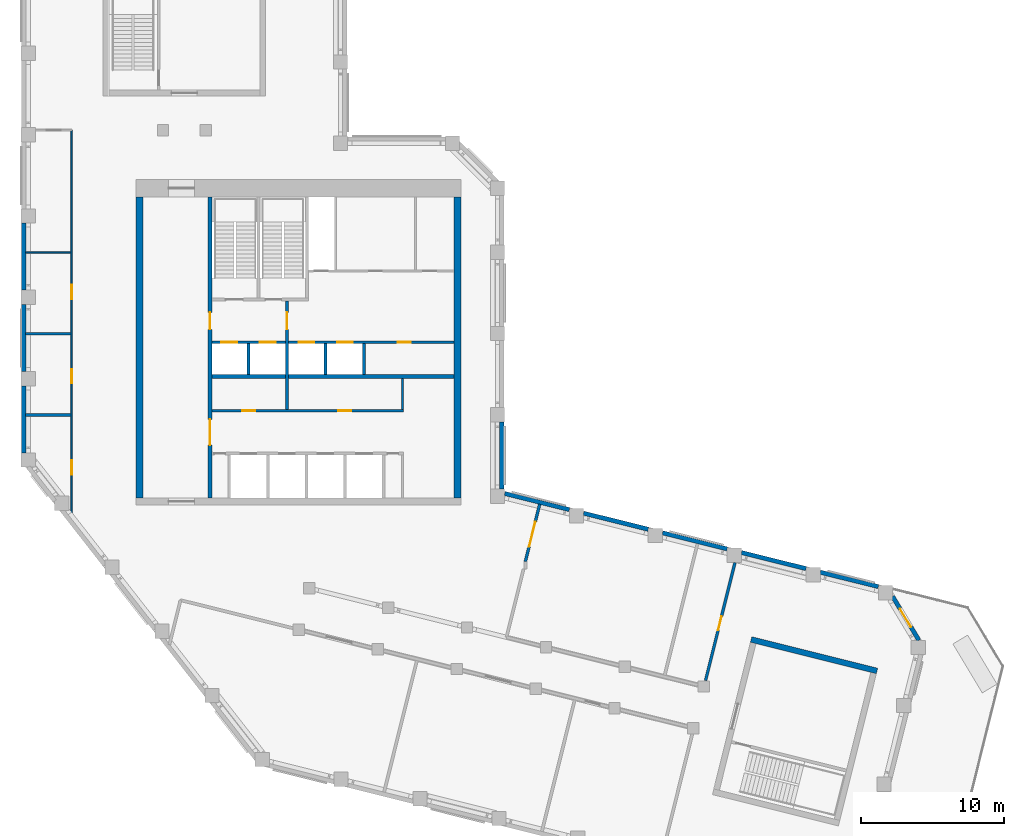
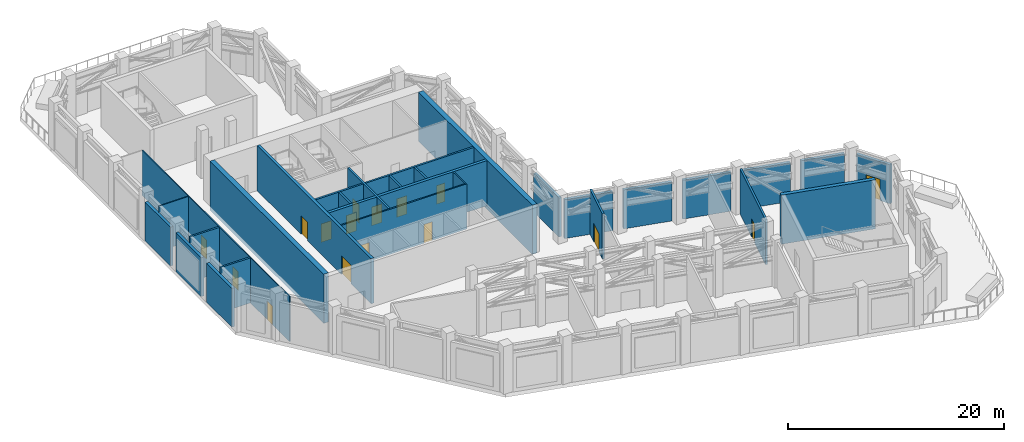
# One storey, part 5 of 8: 28 walls, 16 doors, 16 openings.
"""IFC4 building model written with IfcOpenShell, lengths in metres."""

import ifcopenshell
import ifcopenshell.guid

model = None  # the IFC model being written
_history = None  # IfcOwnerHistory: only IFC2X3 demands one
_inside = {}  # id of a spatial element -> (the spatial element, [elements in it])
_under = {}  # id of a project, library or spatial element -> (it, [spatial elements below it])
_declared = {}  # id of a project -> (the project, [libraries it declares])
_typed = {}  # id of a type object -> (the type object, [elements of that type])
_made_of = {}  # id of a material, layer set ... -> (it, [elements and type objects made of it])


def new_model(schema):
    """Start an empty IFC model of exactly this schema.

    Asked for "IFC4X3", IfcOpenShell would pick the latest addendum, in which some entities
    have other attributes; the version numbers below select the first issue.
    IFC2X3 requires an IfcOwnerHistory on every rooted entity: one is made here for all.
    """
    global model, _history
    if schema == "IFC4X3":
        model = ifcopenshell.file(schema_version=(4, 3, 0, 0))
    else:
        model = ifcopenshell.file(schema=schema)
    _inside.clear()
    _under.clear()
    _declared.clear()
    _typed.clear()
    _made_of.clear()
    _history = None
    if model.schema == "IFC2X3":
        org = make("IfcOrganization", Name="unknown")
        user = make(
            "IfcPersonAndOrganization",
            ThePerson=make("IfcPerson", FamilyName="unknown"),
            TheOrganization=org,
        )
        app = make(
            "IfcApplication",
            ApplicationDeveloper=org,
            Version="unknown",
            ApplicationFullName="unknown",
            ApplicationIdentifier="unknown",
        )
        _history = make(
            "IfcOwnerHistory",
            OwningUser=user,
            OwningApplication=app,
            ChangeAction="ADDED",
            CreationDate=0,
        )
    return model


def make(cls, **values):
    """One entity of the class cls with the attributes given. An attribute that is None is left unset."""
    return model.create_entity(
        cls, **{name: value for name, value in values.items() if value is not None}
    )


def rooted(cls, **values):
    """An entity with a GlobalId (a new one), such as an element, a storey or a relation."""
    return make(cls, GlobalId=ifcopenshell.guid.new(), OwnerHistory=_history, **values)


def si_unit(unit_type, name, prefix=None):
    """IfcSIUnit, for example si_unit("LENGTHUNIT", "METRE", prefix="MILLI")."""
    return make("IfcSIUnit", UnitType=unit_type, Prefix=prefix, Name=name)


def assignment(units):
    """IfcUnitAssignment: the units of a project."""
    return None if units is None else make("IfcUnitAssignment", Units=units)


def point(xyz):
    """IfcCartesianPoint."""
    return None if xyz is None else make("IfcCartesianPoint", Coordinates=xyz)


def direction(xyz):
    """IfcDirection."""
    return None if xyz is None else make("IfcDirection", DirectionRatios=xyz)


def frame(location, z_axis=None, x_axis=None):
    """IfcAxis2Placement3D, a coordinate frame: its origin and axes. An axis left out is left unset."""
    return make(
        "IfcAxis2Placement3D",
        Location=point(location),
        Axis=direction(z_axis),
        RefDirection=direction(x_axis),
    )


def frame_2d(location, x_axis=None):
    """IfcAxis2Placement2D, a coordinate frame in the plane: its origin and x axis."""
    return make(
        "IfcAxis2Placement2D", Location=point(location), RefDirection=direction(x_axis)
    )


def origin():
    """The frame at (0, 0, 0) with its axes left unset."""
    return frame((0.0, 0.0, 0.0))


def place(relative_to, where):
    """IfcLocalPlacement: puts the frame where relative to a parent placement (None: the world)."""
    return make(
        "IfcLocalPlacement", PlacementRelTo=relative_to, RelativePlacement=where
    )


def context(
    kind, dimensions, precision=None, world=None, true_north=None, identifier=None
):
    """IfcGeometricRepresentationContext, for example the 3D "Model" context."""
    return make(
        "IfcGeometricRepresentationContext",
        ContextIdentifier=identifier,
        ContextType=kind,
        CoordinateSpaceDimension=dimensions,
        Precision=precision,
        WorldCoordinateSystem=world,
        TrueNorth=true_north,
    )


def subcontext(parent, identifier, kind, view, scale=None):
    """IfcGeometricRepresentationSubContext, for example "Body" below "Model"."""
    return make(
        "IfcGeometricRepresentationSubContext",
        ContextIdentifier=identifier,
        ContextType=kind,
        ParentContext=parent,
        TargetScale=scale,
        TargetView=view,
    )


def project(units=None, contexts=None):
    """IfcProject with its units and contexts."""
    return rooted(
        "IfcProject",
        Name="project",
        RepresentationContexts=contexts,
        UnitsInContext=assignment(units),
    )


def spatial(cls, under=None, at=None, **own):
    """A site, building, storey or space (cls), placed at a placement, below another one or the project."""
    s = rooted(cls, ObjectPlacement=at, **own)
    if under is not None:
        _under.setdefault(under.id(), (under, []))[1].append(s)
    return s


def profile(cls, at=None, kind="AREA", **sizes):
    """A parametric profile (cls). Its sizes go by their IFC names, for example OverallWidth=200.0."""
    return make(cls, ProfileType=kind, Position=at, **sizes)


def rectangle(**sizes):
    """IfcRectangleProfileDef."""
    return profile("IfcRectangleProfileDef", **sizes)


def extrude(swept, where, along, depth):
    """IfcExtrudedAreaSolid: the profile swept, set in the frame where, extruded along a direction by depth."""
    return make(
        "IfcExtrudedAreaSolid",
        SweptArea=swept,
        Position=where,
        ExtrudedDirection=direction(along),
        Depth=depth,
    )


def shape(context_of_items, identifier, shape_type, items):
    """IfcShapeRepresentation: the items that make up one representation, for example the "Body"."""
    return make(
        "IfcShapeRepresentation",
        ContextOfItems=context_of_items,
        RepresentationIdentifier=identifier,
        RepresentationType=shape_type,
        Items=items,
    )


def material(Name=None, Category=None):
    """IfcMaterial."""
    return make("IfcMaterial", Name=Name, Category=Category)


def layer(
    of_material, thickness, ventilated=None, Name=None, Category=None, Priority=None
):
    """IfcMaterialLayer: one layer of a wall or slab, of a material (None: an air gap)."""
    return make(
        "IfcMaterialLayer",
        Material=of_material,
        LayerThickness=thickness,
        IsVentilated=ventilated,
        Name=Name,
        Category=Category,
        Priority=Priority,
    )


def layer_set(layers, Name=None):
    """IfcMaterialLayerSet."""
    return make("IfcMaterialLayerSet", MaterialLayers=layers, LayerSetName=Name)


def made_of(thing, what):
    """Note that an element or type object is made of a material, layer set ...; save() writes the relation."""
    if what is not None:
        _made_of.setdefault(what.id(), (what, []))[1].append(thing)
    return thing


def type_object(cls, material=None, **own):
    """A type object (cls), such as IfcWallType, which elements share."""
    return made_of(rooted(cls, **own), material)


def element(
    cls,
    number,
    at=None,
    inside=None,
    cuts=None,
    type_object=None,
    material=None,
    context=None,
    identifier="Body",
    shape_type=None,
    held_by="IfcProductDefinitionShape",
    body=None,
    shapes=None,
    **own,
):
    """One element of the class cls, such as IfcWall. Its Tag is "e" and its number.

    at: its placement. inside: the storey or other place that contains it. cuts: it is an
    opening in that element (IfcRelVoidsElement). A single representation is given by context,
    identifier, shape_type and body (its items); several are given by shapes. held_by: the class
    of the entity that holds the representations. save() writes the other relations.
    """
    e = rooted(cls, Tag="e%d" % number, ObjectPlacement=at, **own)
    if body is not None:
        shapes = [shape(context, identifier, shape_type, body)]
    if shapes is not None:
        e.Representation = make(held_by, Representations=shapes)
    if inside is not None:
        _inside.setdefault(inside.id(), (inside, []))[1].append(e)
    if cuts is not None:
        rooted(
            "IfcRelVoidsElement", RelatingBuildingElement=cuts, RelatedOpeningElement=e
        )
    if type_object is not None:
        _typed.setdefault(type_object.id(), (type_object, []))[1].append(e)
    return made_of(e, material)


def fill(opening, filler):
    """IfcRelFillsElement: the door or window that sits in an opening."""
    return rooted(
        "IfcRelFillsElement",
        RelatingOpeningElement=opening,
        RelatedBuildingElement=filler,
    )


def aggregate(whole, parts):
    """IfcRelAggregates: a whole, such as a stair, and the parts it consists of."""
    return rooted("IfcRelAggregates", RelatingObject=whole, RelatedObjects=parts)


def save(model, path):
    """Write the relations noted so far, then the file.

    IfcRelAggregates (storeys below a building ...), IfcRelContainedInSpatialStructure (elements
    in a storey), IfcRelDefinesByType, IfcRelAssociatesMaterial and IfcRelDeclares: one each for
    every whole, place, type object, material and project.
    """
    for whole, parts in _under.values():
        aggregate(whole, parts)
    for where, things in _inside.values():
        rooted(
            "IfcRelContainedInSpatialStructure",
            RelatedElements=things,
            RelatingStructure=where,
        )
    for kind, things in _typed.values():
        rooted("IfcRelDefinesByType", RelatedObjects=things, RelatingType=kind)
    for what, things in _made_of.values():
        rooted("IfcRelAssociatesMaterial", RelatedObjects=things, RelatingMaterial=what)
    for by, libraries in _declared.values():
        rooted("IfcRelDeclares", RelatingContext=by, RelatedDefinitions=libraries)
    model.write(path)


model = new_model("IFC4")

# Units and contexts
model_context = context("Model", 3, precision=1e-05, world=origin(), true_north=direction((0.0, 1.0)))
body_context = subcontext(model_context, "Body", "Model", "MODEL_VIEW")
ifc_project = project(units=[si_unit("LENGTHUNIT", "METRE"), si_unit("AREAUNIT", "SQUARE_METRE"), si_unit("VOLUMEUNIT", "CUBIC_METRE"), si_unit("PLANEANGLEUNIT", "RADIAN"), si_unit("MASSUNIT", "GRAM", prefix="KILO")], contexts=[model_context])

# Site, building, storey
site_placement = place(None, origin())
site = spatial("IfcSite", under=ifc_project, at=site_placement, CompositionType="ELEMENT")
building_placement = place(site_placement, origin())
building = spatial("IfcBuilding", under=site, at=building_placement, Name="Meshkara Civic Tower", CompositionType="ELEMENT")
storey_placement = place(building_placement, frame((0.0, 0.0, 348.60009765625)))
storey = spatial("IfcBuildingStorey", under=building, at=storey_placement, Name="L80", CompositionType="ELEMENT", Elevation=348.60009765625)

# Wall, openings, doors
ifc_material_1 = material(Name="Blockwork", Category="masonry")
ifc_layer_1 = layer(ifc_material_1, 0.14990234375)
ifc_layer_set_1 = layer_set([ifc_layer_1], Name="Core partition 150")
wall_type_1 = type_object("IfcWallType", Name="Core partition 150", PredefinedType="PARTITIONING", material=ifc_layer_set_1)
wall_1_placement = place(storey_placement, frame((13.35009765625, 20.699951171875, 0.0), z_axis=(0.0, 0.0, 1.0), x_axis=(1.0, 0.0, 0.0)))
wall_1 = element("IfcWall", 1, at=wall_1_placement, inside=storey, type_object=wall_type_1, Name="L80-C006", PredefinedType="PARTITIONING", context=body_context, shape_type="SweptSolid", body=[
    extrude(rectangle(XDim=13.4248046875, YDim=0.14990234375, at=frame_2d((6.71240234375, 0.0))), origin(), (0.0, 0.0, 1.0), 5.099853515625),
])
opening_1_placement = place(wall_1_placement, frame((2.10009765625, 0.0, 0.0)))
opening_1 = element("IfcOpeningElement", 2, at=opening_1_placement, cuts=wall_1, Name="Opening L80-K011", PredefinedType="OPENING", context=body_context, shape_type="SweptSolid", body=[
    extrude(rectangle(XDim=0.89990234375, YDim=2.10009765625, at=frame_2d((0.449951171875, 1.050048828125))), frame((0.0, 0.0849609375, 0.0), z_axis=(0.0, -1.0, 0.0), x_axis=(1.0, 0.0, 0.0)), (0.0, 0.0, 1.0), 0.169921875),
])
opening_2_placement = place(wall_1_placement, frame((8.85009765625, 0.0, 0.0)))
opening_2 = element("IfcOpeningElement", 3, at=opening_2_placement, cuts=wall_1, Name="Opening L80-K012", PredefinedType="OPENING", context=body_context, shape_type="SweptSolid", body=[
    extrude(rectangle(XDim=0.89990234375, YDim=2.10009765625, at=frame_2d((0.449951171875, 1.050048828125))), frame((0.0, 0.0849609375, 0.0), z_axis=(0.0, -1.0, 0.0), x_axis=(1.0, 0.0, 0.0)), (0.0, 0.0, 1.0), 0.169921875),
])
ifc_material_2 = material(Name="Timber door leaf in steel frame", Category="steel")
door_type_1 = type_object("IfcDoorType", Name="Core room door 900", OperationType="SINGLE_SWING_LEFT", PredefinedType="DOOR", material=ifc_material_2)
door_1_placement = place(opening_1_placement, origin())
door_1 = element("IfcDoor", 4, at=door_1_placement, inside=storey, type_object=door_type_1, Name="L80-K011", OperationType="SINGLE_SWING_RIGHT", OverallHeight=2.10009765625, OverallWidth=0.89990234375, PredefinedType="DOOR", context=body_context, shape_type="SweptSolid", body=[
    extrude(rectangle(XDim=0.89990234375, YDim=2.10009765625, at=frame_2d((0.449951171875, 1.050048828125))), frame((0.0, 0.02490234375, 0.0), z_axis=(0.0, -1.0, 0.0), x_axis=(1.0, 0.0, 0.0)), (0.0, 0.0, 1.0), 0.050048828125),
])
fill(opening_1, door_1)
door_2_placement = place(opening_2_placement, origin())
door_2 = element("IfcDoor", 5, at=door_2_placement, inside=storey, type_object=door_type_1, Name="L80-K012", OperationType="SINGLE_SWING_RIGHT", OverallHeight=2.10009765625, OverallWidth=0.89990234375, PredefinedType="DOOR", context=body_context, shape_type="SweptSolid", body=[
    extrude(rectangle(XDim=0.89990234375, YDim=2.10009765625, at=frame_2d((0.449951171875, 1.050048828125))), frame((0.0, 0.02490234375, 0.0), z_axis=(0.0, -1.0, 0.0), x_axis=(1.0, 0.0, 0.0)), (0.0, 0.0, 1.0), 0.050048828125),
])
fill(opening_2, door_2)

# Walls
wall_2_placement = place(storey_placement, frame((26.699951171875, 20.77490234375, 0.0), z_axis=(0.0, 0.0, 1.0), x_axis=(0.0, 1.0, 0.0)))
element("IfcWall", 6, at=wall_2_placement, inside=storey, type_object=wall_type_1, Name="L80-C025", PredefinedType="PARTITIONING", context=body_context, shape_type="SweptSolid", body=[
    extrude(rectangle(XDim=2.175048828125, YDim=0.14990234375, at=frame_2d((1.08740234375, 0.0))), origin(), (0.0, 0.0, 1.0), 5.099853515625),
])
ifc_material_3 = material(Name="Concrete C60", Category="concrete")
ifc_layer_2 = layer(ifc_material_3, 0.5)
ifc_layer_set_2 = layer_set([ifc_layer_2], Name="Core ring wall 500 C60")
wall_type_2 = type_object("IfcWallType", Name="Core ring wall 500 C60", PredefinedType="SHEAR", material=ifc_layer_set_2)
for number, where, z_axis, x_axis, name in (
    (7, (8.25, 14.60009765625, -0.4501953125), (0.0, 0.0, 1.0), (0.0, 1.0, 0.0), "L80-C003"),
    (8, (30.550048828125, 14.60009765625, -0.4501953125), (0.0, 0.0, 1.0), (0.0, 1.0, 0.0), "L80-C004"),
):
    element("IfcWall", number, at=place(storey_placement, frame(where, z_axis=z_axis, x_axis=x_axis)), inside=storey, type_object=wall_type_2, Name=name, PredefinedType="SHEAR", context=body_context, shape_type="SweptSolid", body=[
        extrude(rectangle(XDim=21.099853515625, YDim=0.5, at=frame_2d((10.5498046875, 0.0))), origin(), (0.0, 0.0, 1.0), 5.550048828125),
    ])
ifc_material_4 = material(Name="Concrete C60", Category="concrete")
ifc_layer_3 = layer(ifc_material_4, 0.300048828125)
ifc_layer_set_3 = layer_set([ifc_layer_3], Name="Core shear wall 300 C60")
wall_type_3 = type_object("IfcWallType", Name="Core shear wall 300 C60", PredefinedType="SHEAR", material=ifc_layer_set_3)
wall_3_placement = place(storey_placement, frame((13.35009765625, 23.10009765625, 0.0), z_axis=(0.0, 0.0, 1.0), x_axis=(1.0, 0.0, 0.0)))
element("IfcWall", 9, at=wall_3_placement, inside=storey, type_object=wall_type_3, Name="L80-C007", PredefinedType="SHEAR", context=body_context, shape_type="SweptSolid", body=[
    extrude(rectangle(XDim=16.949951171875, YDim=0.300048828125, at=frame_2d((8.47509765625, 0.0))), origin(), (0.0, 0.0, 1.0), 5.099853515625),
])

# Wall, openings, doors
wall_4_placement = place(storey_placement, frame((13.199951171875, 14.60009765625, 0.0), z_axis=(0.0, 0.0, 1.0), x_axis=(0.0, 1.0, 0.0)))
wall_4 = element("IfcWall", 10, at=wall_4_placement, inside=storey, type_object=wall_type_3, Name="L80-C011", PredefinedType="SHEAR", context=body_context, shape_type="SweptSolid", body=[
    extrude(rectangle(XDim=21.099853515625, YDim=0.300048828125, at=frame_2d((10.5498046875, 0.0))), origin(), (0.0, 0.0, 1.0), 5.099853515625),
])
opening_3_placement = place(wall_4_placement, frame((3.699951171875, 0.0, 0.0)))
opening_3 = element("IfcOpeningElement", 11, at=opening_3_placement, cuts=wall_4, Name="Opening L80-K019", PredefinedType="OPENING", context=body_context, shape_type="SweptSolid", body=[
    extrude(rectangle(XDim=1.800048828125, YDim=2.10009765625, at=frame_2d((0.89990234375, 1.050048828125))), frame((0.0, 0.159912109375, 0.0), z_axis=(0.0, -1.0, 0.0), x_axis=(1.0, 0.0, 0.0)), (0.0, 0.0, 1.0), 0.320068359375),
])
opening_4_placement = place(wall_4_placement, frame((11.800048828125, 0.0, 0.0)))
opening_4 = element("IfcOpeningElement", 12, at=opening_4_placement, cuts=wall_4, Name="Opening L80-K020", PredefinedType="OPENING", context=body_context, shape_type="SweptSolid", body=[
    extrude(rectangle(XDim=1.199951171875, YDim=2.10009765625, at=frame_2d((0.60009765625, 1.050048828125))), frame((0.0, 0.159912109375, 0.0), z_axis=(0.0, -1.0, 0.0), x_axis=(1.0, 0.0, 0.0)), (0.0, 0.0, 1.0), 0.320068359375),
])
ifc_material_5 = material(Name="Fire-rated door leaf in steel frame", Category="steel")
door_type_2 = type_object("IfcDoorType", Name="Core double door 1800 EI 60", OperationType="DOUBLE_DOOR_SINGLE_SWING", PredefinedType="DOOR", material=ifc_material_5)
door_3_placement = place(opening_3_placement, origin())
door_3 = element("IfcDoor", 13, at=door_3_placement, inside=storey, type_object=door_type_2, Name="L80-K019", OperationType="DOUBLE_DOOR_SINGLE_SWING", OverallHeight=2.10009765625, OverallWidth=1.800048828125, PredefinedType="DOOR", context=body_context, shape_type="SweptSolid", body=[
    extrude(rectangle(XDim=1.800048828125, YDim=2.10009765625, at=frame_2d((0.89990234375, 1.050048828125))), frame((0.0, 0.02490234375, 0.0), z_axis=(0.0, -1.0, 0.0), x_axis=(1.0, 0.0, 0.0)), (0.0, 0.0, 1.0), 0.050048828125),
])
fill(opening_3, door_3)
ifc_material_6 = material(Name="Fire-rated door leaf in steel frame", Category="steel")
door_type_3 = type_object("IfcDoorType", Name="Fire-fighting lobby door 1200 EI 120", OperationType="SINGLE_SWING_LEFT", PredefinedType="DOOR", material=ifc_material_6)
door_4_placement = place(opening_4_placement, origin())
door_4 = element("IfcDoor", 14, at=door_4_placement, inside=storey, type_object=door_type_3, Name="L80-K020", OperationType="SINGLE_SWING_LEFT", OverallHeight=2.10009765625, OverallWidth=1.199951171875, PredefinedType="DOOR", context=body_context, shape_type="SweptSolid", body=[
    extrude(rectangle(XDim=1.199951171875, YDim=2.10009765625, at=frame_2d((0.60009765625, 1.050048828125))), frame((0.0, 0.02490234375, 0.0), z_axis=(0.0, -1.0, 0.0), x_axis=(1.0, 0.0, 0.0)), (0.0, 0.0, 1.0), 0.050048828125),
])
fill(opening_4, door_4)

ifc_material_7 = material(Name="Corridor wall 100")
ifc_layer_4 = layer(ifc_material_7, 0.10009765625)
ifc_layer_set_4 = layer_set([ifc_layer_4], Name="Corridor wall 100")
wall_type_4 = type_object("IfcWallType", Name="Corridor wall 100", PredefinedType="PARTITIONING", material=ifc_layer_set_4)
wall_5_placement = place(storey_placement, frame((3.5, 40.3701171875, 0.0), z_axis=(0.0, 0.0, 1.0), x_axis=(0.0, -1.0, 0.0)))
wall_5 = element("IfcWall", 15, at=wall_5_placement, inside=storey, type_object=wall_type_4, Name="L80-R002", PredefinedType="PARTITIONING", context=body_context, shape_type="SweptSolid", body=[
    extrude(rectangle(XDim=27.2822265625, YDim=0.10009765625, at=frame_2d((13.64111328125, 0.0))), origin(), (0.0, 0.0, 1.0), 5.099853515625),
])
opening_5_placement = place(wall_5_placement, frame((23.14990234375, 0.0, 0.0)))
opening_5 = element("IfcOpeningElement", 16, at=opening_5_placement, cuts=wall_5, Name="Opening L80-P005", PredefinedType="OPENING", context=body_context, shape_type="SweptSolid", body=[
    extrude(rectangle(XDim=1.0, YDim=2.10009765625, at=frame_2d((0.5, 1.050048828125))), frame((0.0, 0.06005859375, 0.0), z_axis=(0.0, -1.0, 0.0), x_axis=(1.0, 0.0, 0.0)), (0.0, 0.0, 1.0), 0.1201171875),
])
opening_6_placement = place(wall_5_placement, frame((16.75, 0.0, 0.0)))
opening_6 = element("IfcOpeningElement", 17, at=opening_6_placement, cuts=wall_5, Name="Opening L80-P007", PredefinedType="OPENING", context=body_context, shape_type="SweptSolid", body=[
    extrude(rectangle(XDim=1.0, YDim=2.10009765625, at=frame_2d((0.5, 1.050048828125))), frame((0.0, 0.06005859375, 0.0), z_axis=(0.0, -1.0, 0.0), x_axis=(1.0, 0.0, 0.0)), (0.0, 0.0, 1.0), 0.1201171875),
])
opening_7_placement = place(wall_5_placement, frame((10.85009765625, 0.0, 0.0)))
opening_7 = element("IfcOpeningElement", 18, at=opening_7_placement, cuts=wall_5, Name="Opening L80-P008", PredefinedType="OPENING", context=body_context, shape_type="SweptSolid", body=[
    extrude(rectangle(XDim=1.0, YDim=2.10009765625, at=frame_2d((0.5, 1.050048828125))), frame((0.0, 0.06005859375, 0.0), z_axis=(0.0, -1.0, 0.0), x_axis=(1.0, 0.0, 0.0)), (0.0, 0.0, 1.0), 0.1201171875),
])
ifc_material_8 = material(Name="Door 1000 x 2100")
door_type_4 = type_object("IfcDoorType", Name="Door 1000 x 2100", OperationType="SINGLE_SWING_LEFT", PredefinedType="DOOR", material=ifc_material_8)
door_5_placement = place(opening_5_placement, origin())
door_5 = element("IfcDoor", 19, at=door_5_placement, inside=storey, type_object=door_type_4, Name="L80-P005", OperationType="SINGLE_SWING_LEFT", OverallHeight=2.10009765625, OverallWidth=1.0, PredefinedType="DOOR", context=body_context, shape_type="SweptSolid", body=[
    extrude(rectangle(XDim=1.0, YDim=2.10009765625, at=frame_2d((0.5, 1.050048828125))), frame((0.0, 0.02490234375, 0.0), z_axis=(0.0, -1.0, 0.0), x_axis=(1.0, 0.0, 0.0)), (0.0, 0.0, 1.0), 0.050048828125),
])
fill(opening_5, door_5)
door_6_placement = place(opening_6_placement, origin())
door_6 = element("IfcDoor", 20, at=door_6_placement, inside=storey, type_object=door_type_4, Name="L80-P007", OperationType="SINGLE_SWING_LEFT", OverallHeight=2.10009765625, OverallWidth=1.0, PredefinedType="DOOR", context=body_context, shape_type="SweptSolid", body=[
    extrude(rectangle(XDim=1.0, YDim=2.10009765625, at=frame_2d((0.5, 1.050048828125))), frame((0.0, 0.02490234375, 0.0), z_axis=(0.0, -1.0, 0.0), x_axis=(1.0, 0.0, 0.0)), (0.0, 0.0, 1.0), 0.050048828125),
])
fill(opening_6, door_6)
door_7_placement = place(opening_7_placement, origin())
door_7 = element("IfcDoor", 21, at=door_7_placement, inside=storey, type_object=door_type_4, Name="L80-P008", OperationType="SINGLE_SWING_RIGHT", OverallHeight=2.10009765625, OverallWidth=1.0, PredefinedType="DOOR", context=body_context, shape_type="SweptSolid", body=[
    extrude(rectangle(XDim=1.0, YDim=2.10009765625, at=frame_2d((0.5, 1.050048828125))), frame((0.0, 0.02490234375, 0.0), z_axis=(0.0, -1.0, 0.0), x_axis=(1.0, 0.0, 0.0)), (0.0, 0.0, 1.0), 0.050048828125),
])
fill(opening_7, door_7)

# Walls
ifc_material_9 = material(Name="Insulated infill panel with bronze anodised aluminium cladding", Category="aluminium")
ifc_layer_5 = layer(ifc_material_9, 0.300048828125)
ifc_layer_set_5 = layer_set([ifc_layer_5], Name="EXTERNAL INFILL WALL 300")
wall_type_5 = type_object("IfcWallType", Name="EXTERNAL INFILL WALL 300", PredefinedType="SOLIDWALL", material=ifc_layer_set_5)
wall_6_placement = place(storey_placement, frame((60.032958984375, 8.3759765625, 0.0), z_axis=(0.0, 0.0, 1.0), x_axis=(-0.970313866696, 0.241849126726, 0.0)))
element("IfcWall", 22, at=wall_6_placement, inside=storey, type_object=wall_type_5, Name="External wall", PredefinedType="SOLIDWALL", context=body_context, shape_type="SweptSolid", body=[
    extrude(rectangle(XDim=4.184326171875, YDim=0.300048828125, at=frame_2d((2.09228515625, 0.0))), origin(), (0.0, 0.0, 1.0), 4.39990234375),
])
wall_7_placement = place(storey_placement, frame((54.972900390625, 9.636962890625, 0.0), z_axis=(0.0, 0.0, 1.0), x_axis=(-0.970274594963, 0.242006632905, 0.0)))
element("IfcWall", 23, at=wall_7_placement, inside=storey, type_object=wall_type_5, Name="External wall", PredefinedType="SOLIDWALL", context=body_context, shape_type="SweptSolid", body=[
    extrude(rectangle(XDim=4.669921875, YDim=0.300048828125, at=frame_2d((2.3349609375, 0.0))), origin(), (0.0, 0.0, 1.0), 4.39990234375),
])
wall_8_placement = place(storey_placement, frame((49.44189453125, 11.01611328125, 0.0), z_axis=(0.0, 0.0, 1.0), x_axis=(-0.970286870015, 0.241957413354, 0.0)))
element("IfcWall", 24, at=wall_8_placement, inside=storey, type_object=wall_type_5, Name="External wall", PredefinedType="SOLIDWALL", context=body_context, shape_type="SweptSolid", body=[
    extrude(rectangle(XDim=4.669677734375, YDim=0.300048828125, at=frame_2d((2.3349609375, 0.0))), origin(), (0.0, 0.0, 1.0), 4.39990234375),
])
wall_9_placement = place(storey_placement, frame((43.910888671875, 12.39501953125, 0.0), z_axis=(0.0, 0.0, 1.0), x_axis=(-0.970271560596, 0.242018798234, 0.0)))
element("IfcWall", 25, at=wall_9_placement, inside=storey, type_object=wall_type_5, Name="External wall", PredefinedType="SOLIDWALL", context=body_context, shape_type="SweptSolid", body=[
    extrude(rectangle(XDim=4.66845703125, YDim=0.300048828125, at=frame_2d((2.334228515625, 0.0))), origin(), (0.0, 0.0, 1.0), 4.39990234375),
])
wall_10_placement = place(storey_placement, frame((38.381103515625, 13.77392578125, 0.0), z_axis=(0.0, 0.0, 1.0), x_axis=(-0.970274594963, 0.242006632905, 0.0)))
element("IfcWall", 26, at=wall_10_placement, inside=storey, type_object=wall_type_5, Name="External wall", PredefinedType="SOLIDWALL", context=body_context, shape_type="SweptSolid", body=[
    extrude(rectangle(XDim=4.669921875, YDim=0.300048828125, at=frame_2d((2.3349609375, 0.0))), origin(), (0.0, 0.0, 1.0), 4.39990234375),
])
wall_11_placement = place(storey_placement, frame((33.64990234375, 15.219970703125, 0.0), z_axis=(0.0, 0.0, 1.0), x_axis=(0.0, 1.0, 0.0)))
element("IfcWall", 27, at=wall_11_placement, inside=storey, type_object=wall_type_5, Name="External wall", PredefinedType="SOLIDWALL", context=body_context, shape_type="SweptSolid", body=[
    extrude(rectangle(XDim=4.698974609375, YDim=0.300048828125, at=frame_2d((2.349609375, 0.0))), origin(), (0.0, 0.0, 1.0), 4.39990234375),
])
for number, where, z_axis, x_axis, name in (
    (28, (0.14990234375, 33.85498046875, 0.0), (0.0, 0.0, 1.0), (0.0, -1.0, 0.0), "External wall"),
    (29, (0.14990234375, 28.155029296875, 0.0), (0.0, 0.0, 1.0), (0.0, -1.0, 0.0), "External wall"),
):
    element("IfcWall", number, at=place(storey_placement, frame(where, z_axis=z_axis, x_axis=x_axis)), inside=storey, type_object=wall_type_5, Name=name, PredefinedType="SOLIDWALL", context=body_context, shape_type="SweptSolid", body=[
        extrude(rectangle(XDim=4.699951171875, YDim=0.300048828125, at=frame_2d((2.35009765625, 0.0))), origin(), (0.0, 0.0, 1.0), 4.39990234375),
    ])
wall_12_placement = place(storey_placement, frame((0.14990234375, 22.4541015625, 0.0), z_axis=(0.0, 0.0, 1.0), x_axis=(0.0, -1.0, 0.0)))
element("IfcWall", 30, at=wall_12_placement, inside=storey, type_object=wall_type_5, Name="External wall", PredefinedType="SOLIDWALL", context=body_context, shape_type="SweptSolid", body=[
    extrude(rectangle(XDim=4.69921875, YDim=0.300048828125, at=frame_2d((2.349609375, 0.0))), origin(), (0.0, 0.0, 1.0), 4.39990234375),
])

# Wall, opening, door
wall_13_placement = place(storey_placement, frame((62.882080078125, 4.614990234375, 0.0), z_axis=(0.0, 0.0, 1.0), x_axis=(-0.515105712513, 0.857126656298, 0.0)))
wall_13 = element("IfcWall", 31, at=wall_13_placement, inside=storey, type_object=wall_type_5, Name="External wall", PredefinedType="SOLIDWALL", context=body_context, shape_type="SweptSolid", body=[
    extrude(rectangle(XDim=3.58984375, YDim=0.300048828125, at=frame_2d((1.794921875, 0.0))), origin(), (0.0, 0.0, 1.0), 4.39990234375),
])
opening_8_placement = place(wall_13_placement, frame((1.077880859375, 0.0, 0.0)))
opening_8 = element("IfcOpeningElement", 32, at=opening_8_placement, cuts=wall_13, Name="Opening L80-L007", PredefinedType="OPENING", context=body_context, shape_type="SweptSolid", body=[
    extrude(rectangle(XDim=1.5, YDim=2.39990234375, at=frame_2d((0.75, 1.199951171875))), frame((0.0, 0.159912109375, 0.0), z_axis=(0.0, -1.0, 0.0), x_axis=(1.0, 0.0, 0.0)), (0.0, 0.0, 1.0), 0.320068359375),
])
ifc_material_10 = material(Name="Bronze anodised aluminium", Category="aluminium")
door_type_5 = type_object("IfcDoorType", Name="TERRACE DOOR 1500x2400", OperationType="DOUBLE_DOOR_SINGLE_SWING", PredefinedType="DOOR", material=ifc_material_10)
door_8_placement = place(opening_8_placement, origin())
door_8 = element("IfcDoor", 33, at=door_8_placement, inside=storey, type_object=door_type_5, Name="L80-L007", OperationType="DOUBLE_DOOR_SINGLE_SWING", OverallHeight=2.39990234375, OverallWidth=1.5, PredefinedType="DOOR", context=body_context, shape_type="SweptSolid", body=[
    extrude(rectangle(XDim=1.5, YDim=2.39990234375, at=frame_2d((0.75, 1.199951171875))), frame((0.0, 0.02490234375, 0.0), z_axis=(0.0, -1.0, 0.0), x_axis=(1.0, 0.0, 0.0)), (0.0, 0.0, 1.0), 0.050048828125),
])
fill(opening_8, door_8)

# Wall
ifc_material_11 = material(Name="Concrete C60", Category="concrete")
ifc_layer_6 = layer(ifc_material_11, 0.39990234375)
ifc_layer_set_6 = layer_set([ifc_layer_6], Name="End core ring wall 400 C60")
wall_type_6 = type_object("IfcWallType", Name="End core ring wall 400 C60", PredefinedType="SHEAR", material=ifc_layer_set_6)
wall_14_placement = place(storey_placement, frame((51.118896484375, 4.672119140625, -0.4501953125), z_axis=(0.0, 0.0, 1.0), x_axis=(0.970300121521, -0.241904266553, 0.0)))
element("IfcWall", 34, at=wall_14_placement, inside=storey, type_object=wall_type_6, Name="L80-C033", PredefinedType="SHEAR", context=body_context, shape_type="SweptSolid", body=[
    extrude(rectangle(XDim=9.099365234375, YDim=0.39990234375, at=frame_2d((4.5498046875, 0.0))), origin(), (0.0, 0.0, 1.0), 5.550048828125),
])

# Wall, opening, door
ifc_material_12 = material(Name="Fire-rated wall 200")
ifc_layer_7 = layer(ifc_material_12, 0.199951171875)
ifc_layer_set_7 = layer_set([ifc_layer_7], Name="Fire-rated wall 200")
wall_type_7 = type_object("IfcWallType", Name="Fire-rated wall 200", PredefinedType="PARTITIONING", material=ifc_layer_set_7)
wall_15_placement = place(storey_placement, frame((35.300048828125, 10.134033203125, 0.0), z_axis=(0.0, 0.0, 1.0), x_axis=(0.241926173914, 0.970294659562, 0.0)))
wall_15 = element("IfcWall", 35, at=wall_15_placement, inside=storey, type_object=wall_type_7, Name="L80-R010", PredefinedType="PARTITIONING", context=body_context, shape_type="SweptSolid", body=[
    extrude(rectangle(XDim=4.147705078125, YDim=0.199951171875, at=frame_2d((2.07373046875, 0.0))), origin(), (0.0, 0.0, 1.0), 5.099853515625),
])
opening_9_placement = place(wall_15_placement, frame((1.080078125, 0.0, 0.0)))
opening_9 = element("IfcOpeningElement", 36, at=opening_9_placement, cuts=wall_15, Name="Opening L80-P006", PredefinedType="OPENING", context=body_context, shape_type="SweptSolid", body=[
    extrude(rectangle(XDim=1.800048828125, YDim=2.10009765625, at=frame_2d((0.89990234375, 1.050048828125))), frame((0.0, 0.10986328125, 0.0), z_axis=(0.0, -1.0, 0.0), x_axis=(1.0, 0.0, 0.0)), (0.0, 0.0, 1.0), 0.219970703125),
])
ifc_material_13 = material(Name="Door pair 1800 x 2100")
door_type_6 = type_object("IfcDoorType", Name="Door pair 1800 x 2100", OperationType="SINGLE_SWING_LEFT", PredefinedType="DOOR", material=ifc_material_13)
door_9_placement = place(opening_9_placement, origin())
door_9 = element("IfcDoor", 37, at=door_9_placement, inside=storey, type_object=door_type_6, Name="L80-P006", OperationType="DOUBLE_DOOR_SINGLE_SWING", OverallHeight=2.10009765625, OverallWidth=1.800048828125, PredefinedType="DOOR", context=body_context, shape_type="SweptSolid", body=[
    extrude(rectangle(XDim=1.800048828125, YDim=2.10009765625, at=frame_2d((0.89990234375, 1.050048828125))), frame((0.0, 0.02490234375, 0.0), z_axis=(0.0, -1.0, 0.0), x_axis=(1.0, 0.0, 0.0)), (0.0, 0.0, 1.0), 0.050048828125),
])
fill(opening_9, door_9)

wall_16_placement = place(storey_placement, frame((49.989013671875, 10.06201171875, 0.0), z_axis=(0.0, 0.0, 1.0), x_axis=(-0.241928707628, -0.970294027821, 0.0)))
wall_16 = element("IfcWall", 38, at=wall_16_placement, inside=storey, type_object=wall_type_7, Name="L80-R017", PredefinedType="PARTITIONING", context=body_context, shape_type="SweptSolid", body=[
    extrude(rectangle(XDim=8.519287109375, YDim=0.199951171875, at=frame_2d((4.259765625, 0.0))), origin(), (0.0, 0.0, 1.0), 5.099853515625),
])
opening_10_placement = place(wall_16_placement, frame((3.8798828125, 0.0, 0.0)))
opening_10 = element("IfcOpeningElement", 39, at=opening_10_placement, cuts=wall_16, Name="Opening L80-P004", PredefinedType="OPENING", context=body_context, shape_type="SweptSolid", body=[
    extrude(rectangle(XDim=1.0, YDim=2.10009765625, at=frame_2d((0.5, 1.050048828125))), frame((0.0, 0.10986328125, 0.0), z_axis=(0.0, -1.0, 0.0), x_axis=(1.0, 0.0, 0.0)), (0.0, 0.0, 1.0), 0.219970703125),
])
door_10_placement = place(opening_10_placement, origin())
door_10 = element("IfcDoor", 40, at=door_10_placement, inside=storey, type_object=door_type_4, Name="L80-P004", OperationType="SINGLE_SWING_RIGHT", OverallHeight=2.10009765625, OverallWidth=1.0, PredefinedType="DOOR", context=body_context, shape_type="SweptSolid", body=[
    extrude(rectangle(XDim=1.0, YDim=2.10009765625, at=frame_2d((0.5, 1.050048828125))), frame((0.0, 0.02490234375, 0.0), z_axis=(0.0, -1.0, 0.0), x_axis=(1.0, 0.0, 0.0)), (0.0, 0.0, 1.0), 0.050048828125),
])
fill(opening_10, door_10)

# Walls
for number, where, z_axis, x_axis, name in (
    (41, (3.449951171875, 20.39990234375, 0.0), (0.0, 0.0, 1.0), (-1.0, 0.0, 0.0), "L80-R018"),
    (42, (3.449951171875, 26.10009765625, 0.0), (0.0, 0.0, 1.0), (-1.0, 0.0, 0.0), "L80-R019"),
):
    element("IfcWall", number, at=place(storey_placement, frame(where, z_axis=z_axis, x_axis=x_axis)), inside=storey, type_object=wall_type_7, Name=name, PredefinedType="PARTITIONING", context=body_context, shape_type="SweptSolid", body=[
        extrude(rectangle(XDim=3.169921875, YDim=0.199951171875, at=frame_2d((1.5849609375, 0.0))), origin(), (0.0, 0.0, 1.0), 5.099853515625),
    ])
ifc_material_14 = material(Name="Partition 100")
ifc_layer_8 = layer(ifc_material_14, 0.10009765625)
ifc_layer_set_8 = layer_set([ifc_layer_8], Name="Partition 100")
wall_type_8 = type_object("IfcWallType", Name="Partition 100", PredefinedType="PARTITIONING", material=ifc_layer_set_8)
wall_17_placement = place(storey_placement, frame((3.449951171875, 31.800048828125, 0.0), z_axis=(0.0, 0.0, 1.0), x_axis=(-1.0, 0.0, 0.0)))
element("IfcWall", 43, at=wall_17_placement, inside=storey, type_object=wall_type_8, Name="L80-R020", PredefinedType="PARTITIONING", context=body_context, shape_type="SweptSolid", body=[
    extrude(rectangle(XDim=3.169921875, YDim=0.10009765625, at=frame_2d((1.5849609375, 0.0))), origin(), (0.0, 0.0, 1.0), 5.099853515625),
])

# Wall, openings, doors
ifc_material_15 = material(Name="Concrete C40/50", Category="concrete")
ifc_layer_9 = layer(ifc_material_15, 0.199951171875)
ifc_layer_set_9 = layer_set([ifc_layer_9], Name="Shaft wall 200 C40/50")
wall_type_9 = type_object("IfcWallType", Name="Shaft wall 200 C40/50", PredefinedType="SOLIDWALL", material=ifc_layer_set_9)
wall_18_placement = place(storey_placement, frame((13.35009765625, 25.5, 0.0), z_axis=(0.0, 0.0, 1.0), x_axis=(1.0, 0.0, 0.0)))
wall_18 = element("IfcWall", 44, at=wall_18_placement, inside=storey, type_object=wall_type_9, Name="L80-C008", PredefinedType="SOLIDWALL", context=body_context, shape_type="SweptSolid", body=[
    extrude(rectangle(XDim=16.949951171875, YDim=0.199951171875, at=frame_2d((8.47509765625, 0.0))), origin(), (0.0, 0.0, 1.0), 5.099853515625),
])
opening_11_placement = place(wall_18_placement, frame((0.64990234375, 0.0, 0.0)))
opening_11 = element("IfcOpeningElement", 45, at=opening_11_placement, cuts=wall_18, Name="Opening L80-K005", PredefinedType="OPENING", context=body_context, shape_type="SweptSolid", body=[
    extrude(rectangle(XDim=1.10009765625, YDim=2.10009765625, at=frame_2d((0.550048828125, 1.050048828125))), frame((0.0, 0.10986328125, 0.0), z_axis=(0.0, -1.0, 0.0), x_axis=(1.0, 0.0, 0.0)), (0.0, 0.0, 1.0), 0.219970703125),
])
opening_12_placement = place(wall_18_placement, frame((3.35009765625, 0.0, 0.0)))
opening_12 = element("IfcOpeningElement", 46, at=opening_12_placement, cuts=wall_18, Name="Opening L80-K006", PredefinedType="OPENING", context=body_context, shape_type="SweptSolid", body=[
    extrude(rectangle(XDim=1.10009765625, YDim=2.10009765625, at=frame_2d((0.550048828125, 1.050048828125))), frame((0.0, 0.10986328125, 0.0), z_axis=(0.0, -1.0, 0.0), x_axis=(1.0, 0.0, 0.0)), (0.0, 0.0, 1.0), 0.219970703125),
])
opening_13_placement = place(wall_18_placement, frame((6.050048828125, 0.0, 0.0)))
opening_13 = element("IfcOpeningElement", 47, at=opening_13_placement, cuts=wall_18, Name="Opening L80-K007", PredefinedType="OPENING", context=body_context, shape_type="SweptSolid", body=[
    extrude(rectangle(XDim=1.10009765625, YDim=2.10009765625, at=frame_2d((0.550048828125, 1.050048828125))), frame((0.0, 0.10986328125, 0.0), z_axis=(0.0, -1.0, 0.0), x_axis=(1.0, 0.0, 0.0)), (0.0, 0.0, 1.0), 0.219970703125),
])
opening_14_placement = place(wall_18_placement, frame((8.75, 0.0, 0.0)))
opening_14 = element("IfcOpeningElement", 48, at=opening_14_placement, cuts=wall_18, Name="Opening L80-K008", PredefinedType="OPENING", context=body_context, shape_type="SweptSolid", body=[
    extrude(rectangle(XDim=1.10009765625, YDim=2.10009765625, at=frame_2d((0.550048828125, 1.050048828125))), frame((0.0, 0.10986328125, 0.0), z_axis=(0.0, -1.0, 0.0), x_axis=(1.0, 0.0, 0.0)), (0.0, 0.0, 1.0), 0.219970703125),
])
opening_15_placement = place(wall_18_placement, frame((13.0, 0.0, 0.0)))
opening_15 = element("IfcOpeningElement", 49, at=opening_15_placement, cuts=wall_18, Name="Opening L80-K013", PredefinedType="OPENING", context=body_context, shape_type="SweptSolid", body=[
    extrude(rectangle(XDim=0.89990234375, YDim=2.10009765625, at=frame_2d((0.449951171875, 1.050048828125))), frame((0.0, 0.10986328125, 0.0), z_axis=(0.0, -1.0, 0.0), x_axis=(1.0, 0.0, 0.0)), (0.0, 0.0, 1.0), 0.219970703125),
])
door_11_placement = place(opening_15_placement, origin())
door_11 = element("IfcDoor", 50, at=door_11_placement, inside=storey, type_object=door_type_1, Name="L80-K013", OperationType="SINGLE_SWING_LEFT", OverallHeight=2.10009765625, OverallWidth=0.89990234375, PredefinedType="DOOR", context=body_context, shape_type="SweptSolid", body=[
    extrude(rectangle(XDim=0.89990234375, YDim=2.10009765625, at=frame_2d((0.449951171875, 1.050048828125))), frame((0.0, 0.02490234375, 0.0), z_axis=(0.0, -1.0, 0.0), x_axis=(1.0, 0.0, 0.0)), (0.0, 0.0, 1.0), 0.050048828125),
])
fill(opening_15, door_11)
ifc_material_16 = material(Name="Stainless steel landing door", Category="steel")
door_type_7 = type_object("IfcDoorType", Name="Lift landing door 1100", OperationType="SLIDING_TO_LEFT", PredefinedType="DOOR", material=ifc_material_16)
door_12_placement = place(opening_11_placement, origin())
door_12 = element("IfcDoor", 51, at=door_12_placement, inside=storey, type_object=door_type_7, Name="L80-K005", OperationType="SLIDING_TO_LEFT", OverallHeight=2.10009765625, OverallWidth=1.10009765625, PredefinedType="DOOR", context=body_context, shape_type="SweptSolid", body=[
    extrude(rectangle(XDim=1.10009765625, YDim=2.10009765625, at=frame_2d((0.550048828125, 1.050048828125))), frame((0.0, 0.02490234375, 0.0), z_axis=(0.0, -1.0, 0.0), x_axis=(1.0, 0.0, 0.0)), (0.0, 0.0, 1.0), 0.050048828125),
])
fill(opening_11, door_12)
door_13_placement = place(opening_12_placement, origin())
door_13 = element("IfcDoor", 52, at=door_13_placement, inside=storey, type_object=door_type_7, Name="L80-K006", OperationType="SLIDING_TO_LEFT", OverallHeight=2.10009765625, OverallWidth=1.10009765625, PredefinedType="DOOR", context=body_context, shape_type="SweptSolid", body=[
    extrude(rectangle(XDim=1.10009765625, YDim=2.10009765625, at=frame_2d((0.550048828125, 1.050048828125))), frame((0.0, 0.02490234375, 0.0), z_axis=(0.0, -1.0, 0.0), x_axis=(1.0, 0.0, 0.0)), (0.0, 0.0, 1.0), 0.050048828125),
])
fill(opening_12, door_13)
door_14_placement = place(opening_13_placement, origin())
door_14 = element("IfcDoor", 53, at=door_14_placement, inside=storey, type_object=door_type_7, Name="L80-K007", OperationType="SLIDING_TO_LEFT", OverallHeight=2.10009765625, OverallWidth=1.10009765625, PredefinedType="DOOR", context=body_context, shape_type="SweptSolid", body=[
    extrude(rectangle(XDim=1.10009765625, YDim=2.10009765625, at=frame_2d((0.550048828125, 1.050048828125))), frame((0.0, 0.02490234375, 0.0), z_axis=(0.0, -1.0, 0.0), x_axis=(1.0, 0.0, 0.0)), (0.0, 0.0, 1.0), 0.050048828125),
])
fill(opening_13, door_14)
door_15_placement = place(opening_14_placement, origin())
door_15 = element("IfcDoor", 54, at=door_15_placement, inside=storey, type_object=door_type_7, Name="L80-K008", OperationType="SLIDING_TO_LEFT", OverallHeight=2.10009765625, OverallWidth=1.10009765625, PredefinedType="DOOR", context=body_context, shape_type="SweptSolid", body=[
    extrude(rectangle(XDim=1.10009765625, YDim=2.10009765625, at=frame_2d((0.550048828125, 1.050048828125))), frame((0.0, 0.02490234375, 0.0), z_axis=(0.0, -1.0, 0.0), x_axis=(1.0, 0.0, 0.0)), (0.0, 0.0, 1.0), 0.050048828125),
])
fill(opening_14, door_15)

# Wall
wall_19_placement = place(storey_placement, frame((15.89990234375, 23.25, 0.0), z_axis=(0.0, 0.0, 1.0), x_axis=(0.0, 1.0, 0.0)))
element("IfcWall", 55, at=wall_19_placement, inside=storey, type_object=wall_type_9, Name="L80-C013", PredefinedType="SOLIDWALL", context=body_context, shape_type="SweptSolid", body=[
    extrude(rectangle(XDim=2.14990234375, YDim=0.199951171875, at=frame_2d((1.074951171875, 0.0))), origin(), (0.0, 0.0, 1.0), 5.099853515625),
])

# Wall, opening, door
wall_20_placement = place(storey_placement, frame((18.60009765625, 20.77490234375, 0.0), z_axis=(0.0, 0.0, 1.0), x_axis=(0.0, 1.0, 0.0)))
wall_20 = element("IfcWall", 56, at=wall_20_placement, inside=storey, type_object=wall_type_9, Name="L80-C016", PredefinedType="SOLIDWALL", context=body_context, shape_type="SweptSolid", body=[
    extrude(rectangle(XDim=7.625, YDim=0.199951171875, at=frame_2d((3.8125, 0.0))), origin(), (0.0, 0.0, 1.0), 5.099853515625),
])
opening_16_placement = place(wall_20_placement, frame((5.625, 0.0, 0.0)))
opening_16 = element("IfcOpeningElement", 57, at=opening_16_placement, cuts=wall_20, Name="Opening L80-K021", PredefinedType="OPENING", context=body_context, shape_type="SweptSolid", body=[
    extrude(rectangle(XDim=1.199951171875, YDim=2.10009765625, at=frame_2d((0.60009765625, 1.050048828125))), frame((0.0, 0.10986328125, 0.0), z_axis=(0.0, -1.0, 0.0), x_axis=(1.0, 0.0, 0.0)), (0.0, 0.0, 1.0), 0.219970703125),
])
door_16_placement = place(opening_16_placement, origin())
door_16 = element("IfcDoor", 58, at=door_16_placement, inside=storey, type_object=door_type_3, Name="L80-K021", OperationType="SINGLE_SWING_RIGHT", OverallHeight=2.10009765625, OverallWidth=1.199951171875, PredefinedType="DOOR", context=body_context, shape_type="SweptSolid", body=[
    extrude(rectangle(XDim=1.199951171875, YDim=2.10009765625, at=frame_2d((0.60009765625, 1.050048828125))), frame((0.0, 0.02490234375, 0.0), z_axis=(0.0, -1.0, 0.0), x_axis=(1.0, 0.0, 0.0)), (0.0, 0.0, 1.0), 0.050048828125),
])
fill(opening_16, door_16)

# Walls
for number, where, z_axis, x_axis, name in (
    (59, (21.300048828125, 23.25, 0.0), (0.0, 0.0, 1.0), (0.0, 1.0, 0.0), "L80-C019"),
    (60, (24.0, 23.25, 0.0), (0.0, 0.0, 1.0), (0.0, 1.0, 0.0), "L80-C022"),
):
    element("IfcWall", number, at=place(storey_placement, frame(where, z_axis=z_axis, x_axis=x_axis)), inside=storey, type_object=wall_type_9, Name=name, PredefinedType="SOLIDWALL", context=body_context, shape_type="SweptSolid", body=[
        extrude(rectangle(XDim=2.14990234375, YDim=0.199951171875, at=frame_2d((1.074951171875, 0.0))), origin(), (0.0, 0.0, 1.0), 5.099853515625),
    ])

save(model, "model.ifc")
